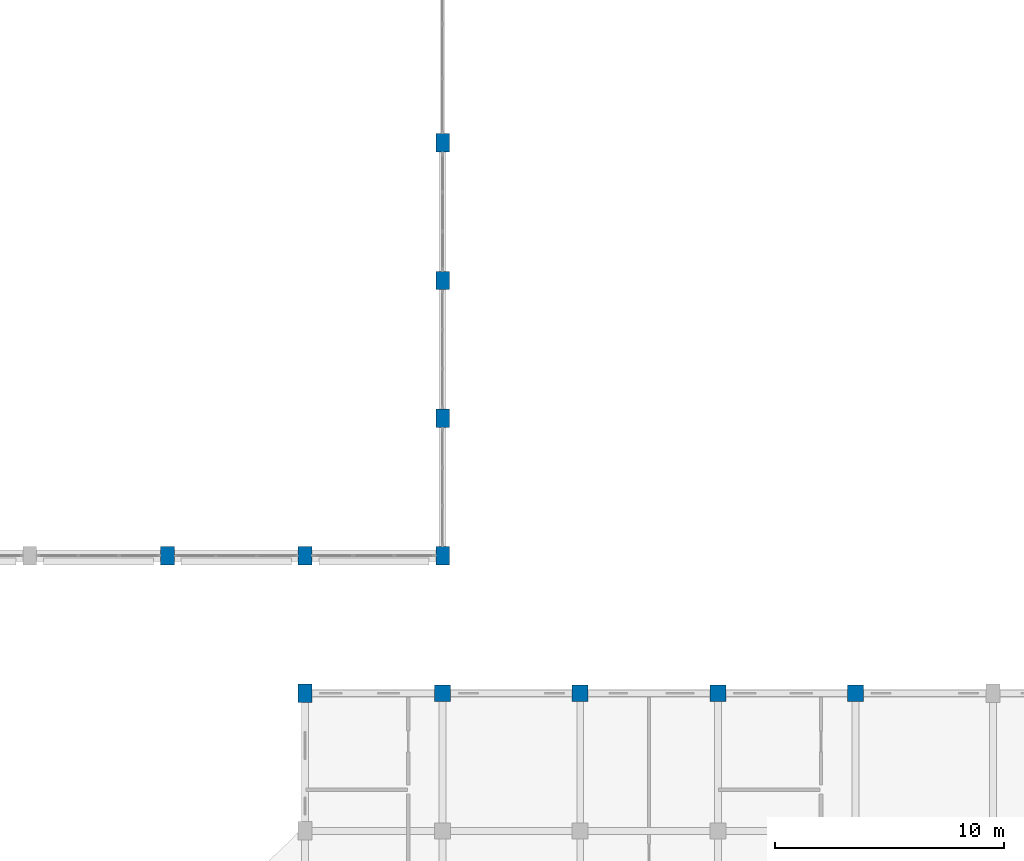
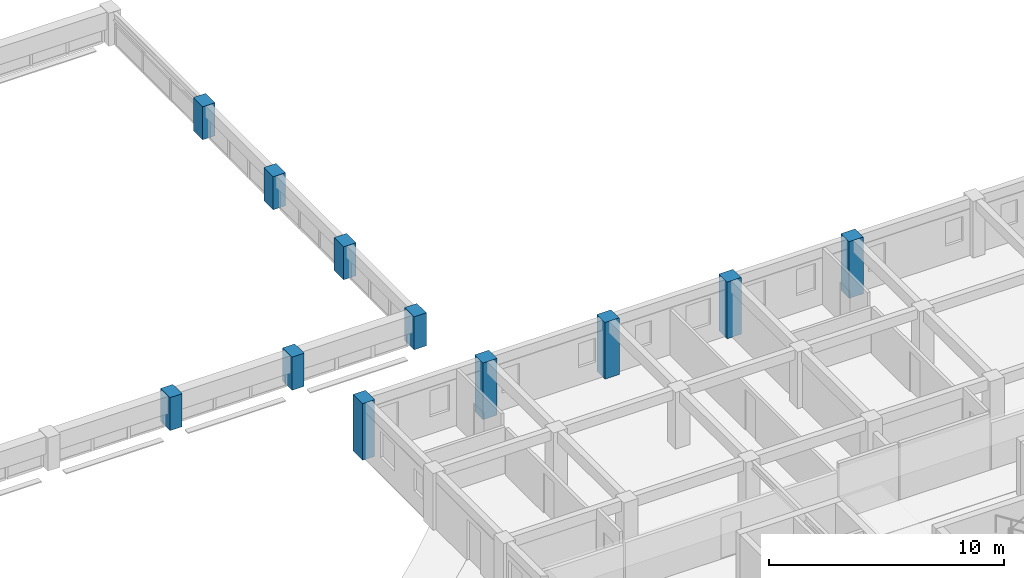
# One storey, part 3 of 137: 11 columns.
"""IFC4 building model written with IfcOpenShell, lengths in metres."""

from ifc_helpers import new_model, si_unit, direction, frame, origin, origin_2d, place, context, subcontext, project, spatial, rectangle, extrude, material, material_profile, profile_set, type_object, element, save


model = new_model("IFC4")

# Units and contexts
model_context = context("Model", 3, precision=1e-05, world=origin(), true_north=direction((0.0, 1.0)))
body_context = subcontext(model_context, "Body", "Model", "MODEL_VIEW")
ifc_project = project(units=[si_unit("LENGTHUNIT", "METRE"), si_unit("AREAUNIT", "SQUARE_METRE"), si_unit("VOLUMEUNIT", "CUBIC_METRE"), si_unit("PLANEANGLEUNIT", "RADIAN"), si_unit("MASSUNIT", "GRAM", prefix="KILO"), si_unit("POWERUNIT", "WATT"), si_unit("THERMODYNAMICTEMPERATUREUNIT", "KELVIN")], contexts=[model_context])

# Site, building, storey
site_placement = place(None, origin())
site = spatial("IfcSite", under=ifc_project, at=site_placement, CompositionType="ELEMENT")
building_placement = place(site_placement, origin())
building = spatial("IfcBuilding", under=site, at=building_placement, Name="Ruvembo Vaulted Housing Court", CompositionType="ELEMENT")
storey_placement = place(building_placement, frame((0.0, 0.0, 4.5)))
storey = spatial("IfcBuildingStorey", under=building, at=storey_placement, Name="L01", CompositionType="ELEMENT", Elevation=4.5)

# Columns
ifc_material = material(Name="Concrete C40/50", Category="concrete")
ifc_material_profile_1 = material_profile(ifc_material, rectangle(XDim=0.60009765625, YDim=0.800048828125, at=origin_2d()), Name="RC 600x800")
ifc_profile_set_1 = profile_set([ifc_material_profile_1], Name="Concrete C40/50")
column_type_1 = type_object("IfcColumnType", Name="COL-RC-600x800", PredefinedType="COLUMN", material=ifc_profile_set_1)
column_1_placement = place(storey_placement, frame((96.0, 42.0, 0.0), z_axis=(0.0, 0.0, 1.0), x_axis=(1.0, 0.0, 0.0)))
element("IfcColumn", 1, at=column_1_placement, inside=storey, type_object=column_type_1, Name="L01 Column (96,42)", PredefinedType="COLUMN", context=body_context, shape_type="SweptSolid", body=[
    extrude(rectangle(XDim=0.60009765625, YDim=0.800048828125, at=origin_2d()), origin(), (0.0, 0.0, 1.0), 1.719970703125),
])
column_2_placement = place(storey_placement, frame((102.0, 36.0, 0.0), z_axis=(0.0, 0.0, 1.0), x_axis=(1.0, 0.0, 0.0)))
element("IfcColumn", 2, at=column_2_placement, inside=storey, type_object=column_type_1, Name="L01 Column (102,36)", PredefinedType="COLUMN", context=body_context, shape_type="SweptSolid", body=[
    extrude(rectangle(XDim=0.60009765625, YDim=0.800048828125, at=origin_2d()), origin(), (0.0, 0.0, 1.0), 2.945068359375),
])
for number, where, z_axis, x_axis, name in (
    (3, (102.0, 42.0, 0.0), (0.0, 0.0, 1.0), (1.0, 0.0, 0.0), "L01 Column (102,42)"),
    (4, (108.0, 42.0, 0.0), (0.0, 0.0, 1.0), (1.0, 0.0, 0.0), "L01 Column (108,42)"),
    (5, (108.0, 48.0, 0.0), (0.0, 0.0, 1.0), (1.0, 0.0, 0.0), "L01 Column (108,48)"),
    (6, (108.0, 54.0, 0.0), (0.0, 0.0, 1.0), (1.0, 0.0, 0.0), "L01 Column (108,54)"),
    (7, (108.0, 60.0, 0.0), (0.0, 0.0, 1.0), (1.0, 0.0, 0.0), "L01 Column (108,60)"),
):
    element("IfcColumn", number, at=place(storey_placement, frame(where, z_axis=z_axis, x_axis=x_axis)), inside=storey, type_object=column_type_1, Name=name, PredefinedType="COLUMN", context=body_context, shape_type="SweptSolid", body=[
        extrude(rectangle(XDim=0.60009765625, YDim=0.800048828125, at=origin_2d()), origin(), (0.0, 0.0, 1.0), 1.719970703125),
    ])
ifc_material_profile_2 = material_profile(ifc_material, rectangle(XDim=0.699951171875, YDim=0.699951171875, at=origin_2d()), Name="RC 700x700")
ifc_profile_set_2 = profile_set([ifc_material_profile_2], Name="Concrete C40/50")
column_type_2 = type_object("IfcColumnType", Name="COL-RC-700", PredefinedType="COLUMN", material=ifc_profile_set_2)
for number, where, z_axis, x_axis, name in (
    (8, (108.0, 36.0, 0.0), (0.0, 0.0, 1.0), (1.0, 0.0, 0.0), "L01 Column (108,36)"),
    (9, (114.0, 36.0, 0.0), (0.0, 0.0, 1.0), (1.0, 0.0, 0.0), "L01 Column (114,36)"),
    (10, (120.0, 36.0, 0.0), (0.0, 0.0, 1.0), (1.0, 0.0, 0.0), "L01 Column (120,36)"),
    (11, (126.0, 36.0, 0.0), (0.0, 0.0, 1.0), (1.0, 0.0, 0.0), "L01 Column (126,36)"),
):
    element("IfcColumn", number, at=place(storey_placement, frame(where, z_axis=z_axis, x_axis=x_axis)), inside=storey, type_object=column_type_2, Name=name, PredefinedType="COLUMN", context=body_context, shape_type="SweptSolid", body=[
        extrude(rectangle(XDim=0.699951171875, YDim=0.699951171875, at=origin_2d()), origin(), (0.0, 0.0, 1.0), 2.945068359375),
    ])

save(model, "model.ifc")
